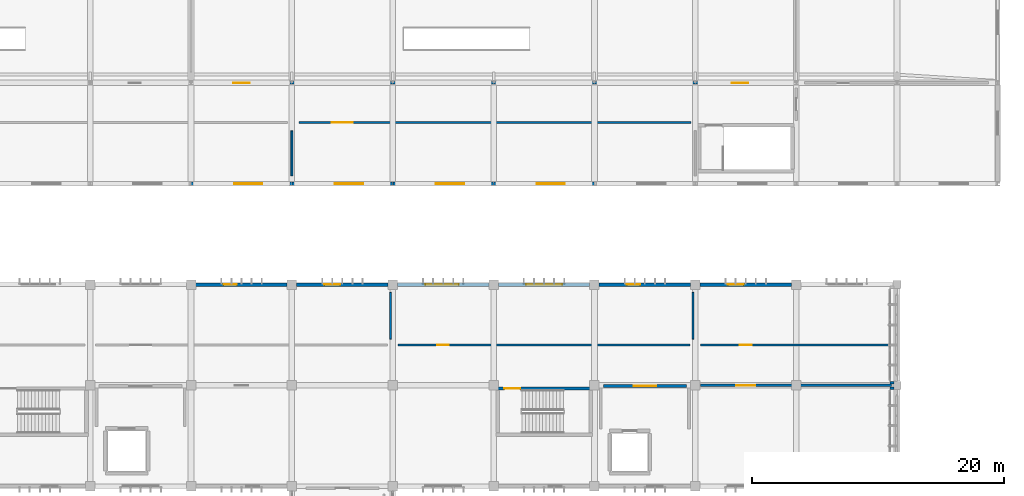
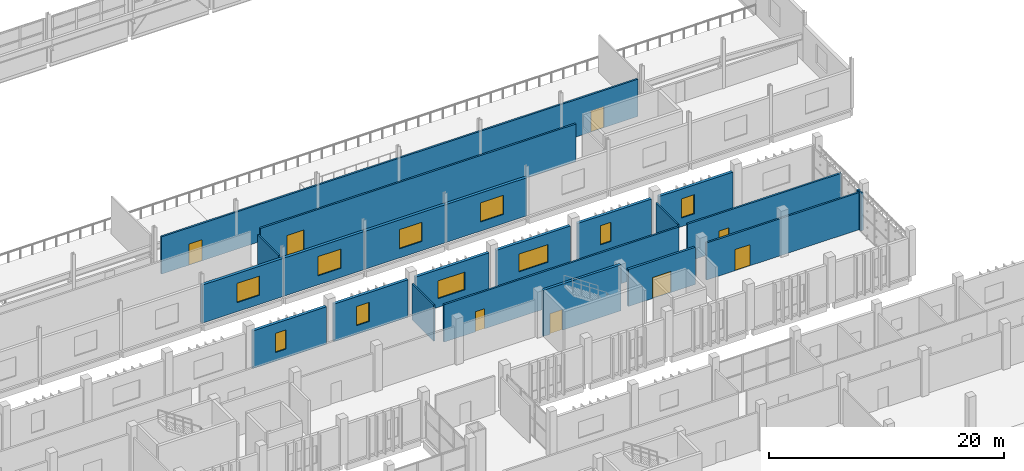
# One storey, part 90 of 106: 22 walls, 10 windows, 8 doors, 18 openings.
"""IFC4 building model written with IfcOpenShell, lengths in metres."""

from ifc_helpers import new_model, si_unit, direction, frame, frame_2d, origin, place, context, subcontext, project, spatial, rectangle, extrude, material, layer, layer_set, type_object, element, fill, save


model = new_model("IFC4")

# Units and contexts
model_context = context("Model", 3, precision=1e-05, world=origin(), true_north=direction((0.0, 1.0)))
body_context = subcontext(model_context, "Body", "Model", "MODEL_VIEW")
ifc_project = project(units=[si_unit("LENGTHUNIT", "METRE"), si_unit("AREAUNIT", "SQUARE_METRE"), si_unit("VOLUMEUNIT", "CUBIC_METRE"), si_unit("PLANEANGLEUNIT", "RADIAN"), si_unit("MASSUNIT", "GRAM", prefix="KILO")], contexts=[model_context])

# Site, building, storey
site_placement = place(None, origin())
site = spatial("IfcSite", under=ifc_project, at=site_placement, CompositionType="ELEMENT")
building_placement = place(site_placement, origin())
building = spatial("IfcBuilding", under=site, at=building_placement, Name="Jelvoka-Kovrelna Polytechnic", CompositionType="ELEMENT")
storey_placement = place(building_placement, frame((0.0, 0.0, 4.800048828125)))
storey = spatial("IfcBuildingStorey", under=building, at=storey_placement, Name="L02", CompositionType="ELEMENT", Elevation=4.800048828125)

# Wall, opening, door
ifc_material_1 = material(Name="Concrete C35/45", Category="concrete")
ifc_layer_1 = layer(ifc_material_1, 0.219970703125)
ifc_layer_set_1 = layer_set([ifc_layer_1], Name="Concrete C35/45")
wall_type_1 = type_object("IfcWallType", Name="Wall_Compartment_220", PredefinedType="PARTITIONING", material=ifc_layer_set_1)
wall_1_placement = place(storey_placement, frame((168.699951171875, 63.949951171875, 0.0), z_axis=(0.0, 0.0, 1.0), x_axis=(1.0, 0.0, 0.0)))
wall_1 = element("IfcWall", 1, at=wall_1_placement, inside=storey, type_object=wall_type_1, Name="L02 interior wall 0346", PredefinedType="PARTITIONING", context=body_context, shape_type="SweptSolid", body=[
    extrude(rectangle(XDim=6.60009765625, YDim=0.219970703125, at=frame_2d((3.300048828125, 0.0))), origin(), (0.0, 0.0, 1.0), 3.85986328125),
])
opening_1_placement = place(wall_1_placement, frame((2.39990234375, 0.0, 0.0)))
opening_1 = element("IfcOpeningElement", 2, at=opening_1_placement, cuts=wall_1, Name="Opening FD-L02-075", PredefinedType="OPENING", context=body_context, shape_type="SweptSolid", body=[
    extrude(rectangle(XDim=1.800048828125, YDim=2.199951171875, at=frame_2d((0.89990234375, 1.10009765625))), frame((0.0, 0.119873046875, 0.0), z_axis=(0.0, -1.0, 0.0), x_axis=(1.0, 0.0, 0.0)), (0.0, 0.0, 1.0), 0.239990234375),
])
ifc_material_2 = material(Name="Paired steel corridor fire door", Category="steel")
door_type_1 = type_object("IfcDoorType", Name="Door_Fire_FD03", OperationType="NOTDEFINED", PredefinedType="DOOR", material=ifc_material_2)
door_1_placement = place(opening_1_placement, origin())
door_1 = element("IfcDoor", 3, at=door_1_placement, inside=storey, type_object=door_type_1, Name="L02 interior door FD-L02-075", OperationType="DOUBLE_DOOR_SINGLE_SWING", OverallHeight=2.199951171875, OverallWidth=1.800048828125, PredefinedType="DOOR", context=body_context, shape_type="SweptSolid", body=[
    extrude(rectangle(XDim=1.800048828125, YDim=2.199951171875, at=frame_2d((0.89990234375, 1.10009765625))), frame((0.0, 0.02490234375, 0.0), z_axis=(0.0, -1.0, 0.0), x_axis=(1.0, 0.0, 0.0)), (0.0, 0.0, 1.0), 0.050048828125),
])
fill(opening_1, door_1)

ifc_material_3 = material(Name="Concrete C40/50", Category="concrete")
ifc_layer_2 = layer(ifc_material_3, 0.25)
ifc_layer_set_2 = layer_set([ifc_layer_2], Name="Concrete C40/50")
wall_type_2 = type_object("IfcWallType", Name="Wall_Core_250", PredefinedType="SOLIDWALL", material=ifc_layer_set_2)
wall_2_placement = place(storey_placement, frame((160.199951171875, 63.739990234375, 0.0), z_axis=(0.0, 0.0, 1.0), x_axis=(1.0, 0.0, 0.0)))
wall_2 = element("IfcWall", 4, at=wall_2_placement, inside=storey, type_object=wall_type_2, Name="L02 interior wall 0191", PredefinedType="SOLIDWALL", context=body_context, shape_type="SweptSolid", body=[
    extrude(rectangle(XDim=7.650146484375, YDim=0.25, at=frame_2d((3.8251953125, 0.0))), origin(), (0.0, 0.0, 1.0), 4.800048828125),
])
opening_2_placement = place(wall_2_placement, frame((0.64990234375, 0.0, 0.0)))
opening_2 = element("IfcOpeningElement", 5, at=opening_2_placement, cuts=wall_2, Name="Opening SD-L02-048", PredefinedType="OPENING", context=body_context, shape_type="SweptSolid", body=[
    extrude(rectangle(XDim=1.25, YDim=2.14990234375, at=frame_2d((0.625, 1.074951171875))), frame((0.0, 0.135009765625, 0.0), z_axis=(0.0, -1.0, 0.0), x_axis=(1.0, 0.0, 0.0)), (0.0, 0.0, 1.0), 0.27001953125),
])
ifc_material_4 = material(Name="Powder-coated steel fire door", Category="steel")
door_type_2 = type_object("IfcDoorType", Name="Door_Fire_FD02", OperationType="NOTDEFINED", PredefinedType="DOOR", material=ifc_material_4)
door_2_placement = place(opening_2_placement, origin())
door_2 = element("IfcDoor", 6, at=door_2_placement, inside=storey, type_object=door_type_2, Name="L02 interior door SD-L02-048", OperationType="SINGLE_SWING_LEFT", OverallHeight=2.14990234375, OverallWidth=1.25, PredefinedType="DOOR", context=body_context, shape_type="SweptSolid", body=[
    extrude(rectangle(XDim=1.25, YDim=2.14990234375, at=frame_2d((0.625, 1.074951171875))), frame((0.0, 0.02490234375, 0.0), z_axis=(0.0, -1.0, 0.0), x_axis=(1.0, 0.0, 0.0)), (0.0, 0.0, 1.0), 0.050048828125),
])
fill(opening_2, door_2)

ifc_material_5 = material(Name="Autoclaved aerated concrete blockwork", Category="masonry")
ifc_layer_3 = layer(ifc_material_5, 0.179931640625)
ifc_layer_set_3 = layer_set([ifc_layer_3], Name="Autoclaved aerated concrete blockwork")
wall_type_3 = type_object("IfcWallType", Name="Wall_Corridor_180", PredefinedType="PARTITIONING", material=ifc_layer_set_3)
wall_3_placement = place(storey_placement, frame((176.429931640625, 64.0, 0.0), z_axis=(0.0, 0.0, 1.0), x_axis=(1.0, 0.0, 0.0)))
wall_3 = element("IfcWall", 7, at=wall_3_placement, inside=storey, type_object=wall_type_3, Name="L02 interior wall 0982", PredefinedType="PARTITIONING", context=body_context, shape_type="SweptSolid", body=[
    extrude(rectangle(XDim=15.14013671875, YDim=0.179931640625, at=frame_2d((7.570068359375, 0.0))), origin(), (0.0, 0.0, 1.0), 3.85986328125),
])
opening_3_placement = place(wall_3_placement, frame((2.830078125, 0.0, 0.0)))
opening_3 = element("IfcOpeningElement", 8, at=opening_3_placement, cuts=wall_3, Name="Opening D-L02-247", PredefinedType="OPENING", context=body_context, shape_type="SweptSolid", body=[
    extrude(rectangle(XDim=1.47998046875, YDim=2.199951171875, at=frame_2d((0.739990234375, 1.10009765625))), frame((0.0, 0.099853515625, 0.0), z_axis=(0.0, -1.0, 0.0), x_axis=(1.0, 0.0, 0.0)), (0.0, 0.0, 1.0), 0.199951171875),
])
ifc_material_6 = material(Name="Paired studio double door", Category="wood")
door_type_3 = type_object("IfcDoorType", Name="Door_Int_D17", OperationType="NOTDEFINED", PredefinedType="DOOR", material=ifc_material_6)
door_3_placement = place(opening_3_placement, origin())
door_3 = element("IfcDoor", 9, at=door_3_placement, inside=storey, type_object=door_type_3, Name="L02 interior door D-L02-247", OperationType="DOUBLE_DOOR_SINGLE_SWING", OverallHeight=2.199951171875, OverallWidth=1.47998046875, PredefinedType="DOOR", context=body_context, shape_type="SweptSolid", body=[
    extrude(rectangle(XDim=1.47998046875, YDim=2.199951171875, at=frame_2d((0.739990234375, 1.10009765625))), frame((0.0, 0.02490234375, 0.0), z_axis=(0.0, -1.0, 0.0), x_axis=(1.0, 0.0, 0.0)), (0.0, 0.0, 1.0), 0.050048828125),
])
fill(opening_3, door_3)

wall_4_placement = place(storey_placement, frame((152.429931640625, 67.199951171875, 0.0), z_axis=(0.0, 0.0, 1.0), x_axis=(1.0, 0.0, 0.0)))
wall_4 = element("IfcWall", 10, at=wall_4_placement, inside=storey, type_object=wall_type_3, Name="L02 interior wall 0989", PredefinedType="PARTITIONING", context=body_context, shape_type="SweptSolid", body=[
    extrude(rectangle(XDim=23.14013671875, YDim=0.179931640625, at=frame_2d((11.570068359375, 0.0))), origin(), (0.0, 0.0, 1.0), 3.89990234375),
])
opening_4_placement = place(wall_4_placement, frame((3.1201171875, 0.0, 0.0)))
opening_4 = element("IfcOpeningElement", 11, at=opening_4_placement, cuts=wall_4, Name="Opening D-L02-252", PredefinedType="OPENING", context=body_context, shape_type="SweptSolid", body=[
    extrude(rectangle(XDim=0.89990234375, YDim=2.10009765625, at=frame_2d((0.449951171875, 1.050048828125))), frame((0.0, 0.099853515625, 0.0), z_axis=(0.0, -1.0, 0.0), x_axis=(1.0, 0.0, 0.0)), (0.0, 0.0, 1.0), 0.199951171875),
])
ifc_material_7 = material(Name="Hardwood solid-core door", Category="wood")
door_type_4 = type_object("IfcDoorType", Name="Door_Int_D01", OperationType="NOTDEFINED", PredefinedType="DOOR", material=ifc_material_7)
door_4_placement = place(opening_4_placement, origin())
door_4 = element("IfcDoor", 12, at=door_4_placement, inside=storey, type_object=door_type_4, Name="L02 interior door D-L02-252", OperationType="SINGLE_SWING_LEFT", OverallHeight=2.10009765625, OverallWidth=0.89990234375, PredefinedType="DOOR", context=body_context, shape_type="SweptSolid", body=[
    extrude(rectangle(XDim=0.89990234375, YDim=2.10009765625, at=frame_2d((0.449951171875, 1.050048828125))), frame((0.0, 0.02490234375, 0.0), z_axis=(0.0, -1.0, 0.0), x_axis=(1.0, 0.0, 0.0)), (0.0, 0.0, 1.0), 0.050048828125),
])
fill(opening_4, door_4)

wall_5_placement = place(storey_placement, frame((176.429931640625, 67.199951171875, 0.0), z_axis=(0.0, 0.0, 1.0), x_axis=(1.0, 0.0, 0.0)))
wall_5 = element("IfcWall", 13, at=wall_5_placement, inside=storey, type_object=wall_type_3, Name="L02 interior wall 0991", PredefinedType="PARTITIONING", context=body_context, shape_type="SweptSolid", body=[
    extrude(rectangle(XDim=15.14013671875, YDim=0.179931640625, at=frame_2d((7.570068359375, 0.0))), origin(), (0.0, 0.0, 1.0), 3.89990234375),
])
opening_5_placement = place(wall_5_placement, frame((3.080078125, 0.0, 0.0)))
opening_5 = element("IfcOpeningElement", 14, at=opening_5_placement, cuts=wall_5, Name="Opening D-L02-253", PredefinedType="OPENING", context=body_context, shape_type="SweptSolid", body=[
    extrude(rectangle(XDim=0.97998046875, YDim=2.10009765625, at=frame_2d((0.489990234375, 1.050048828125))), frame((0.0, 0.099853515625, 0.0), z_axis=(0.0, -1.0, 0.0), x_axis=(1.0, 0.0, 0.0)), (0.0, 0.0, 1.0), 0.199951171875),
])
ifc_material_8 = material(Name="Hardwood solid-core door", Category="wood")
door_type_5 = type_object("IfcDoorType", Name="Door_Int_D03", OperationType="NOTDEFINED", PredefinedType="DOOR", material=ifc_material_8)
door_5_placement = place(opening_5_placement, origin())
door_5 = element("IfcDoor", 15, at=door_5_placement, inside=storey, type_object=door_type_5, Name="L02 interior door D-L02-253", OperationType="SINGLE_SWING_RIGHT", OverallHeight=2.10009765625, OverallWidth=0.97998046875, PredefinedType="DOOR", context=body_context, shape_type="SweptSolid", body=[
    extrude(rectangle(XDim=0.97998046875, YDim=2.10009765625, at=frame_2d((0.489990234375, 1.050048828125))), frame((0.0, 0.02490234375, 0.0), z_axis=(0.0, -1.0, 0.0), x_axis=(1.0, 0.0, 0.0)), (0.0, 0.0, 1.0), 0.050048828125),
])
fill(opening_5, door_5)

# Wall, openings, doors
wall_6_placement = place(storey_placement, frame((136.64990234375, 88.0, 0.0), z_axis=(0.0, 0.0, 1.0), x_axis=(1.0, 0.0, 0.0)))
wall_6 = element("IfcWall", 16, at=wall_6_placement, inside=storey, type_object=wall_type_3, Name="L02 interior wall 1002", PredefinedType="PARTITIONING", context=body_context, shape_type="SweptSolid", body=[
    extrude(rectangle(XDim=46.900146484375, YDim=0.179931640625, at=frame_2d((23.4501953125, 0.0))), origin(), (0.0, 0.0, 1.0), 3.886962890625),
])
opening_6_placement = place(wall_6_placement, frame((2.7099609375, 0.0, 0.0)))
opening_6 = element("IfcOpeningElement", 17, at=opening_6_placement, cuts=wall_6, Name="Opening D-L02-260", PredefinedType="OPENING", context=body_context, shape_type="SweptSolid", body=[
    extrude(rectangle(XDim=1.280029296875, YDim=2.199951171875, at=frame_2d((0.64013671875, 1.10009765625))), frame((0.0, 0.099853515625, 0.0), z_axis=(0.0, -1.0, 0.0), x_axis=(1.0, 0.0, 0.0)), (0.0, 0.0, 1.0), 0.199951171875),
])
opening_7_placement = place(wall_6_placement, frame((42.260009765625, 0.0, 0.0)))
opening_7 = element("IfcOpeningElement", 18, at=opening_7_placement, cuts=wall_6, Name="Opening D-L02-261", PredefinedType="OPENING", context=body_context, shape_type="SweptSolid", body=[
    extrude(rectangle(XDim=1.280029296875, YDim=2.199951171875, at=frame_2d((0.64013671875, 1.10009765625))), frame((0.0, 0.099853515625, 0.0), z_axis=(0.0, -1.0, 0.0), x_axis=(1.0, 0.0, 0.0)), (0.0, 0.0, 1.0), 0.199951171875),
])
ifc_material_9 = material(Name="Studio wide leaf door", Category="wood")
door_type_6 = type_object("IfcDoorType", Name="Door_Int_D14", OperationType="NOTDEFINED", PredefinedType="DOOR", material=ifc_material_9)
door_6_placement = place(opening_6_placement, origin())
door_6 = element("IfcDoor", 19, at=door_6_placement, inside=storey, type_object=door_type_6, Name="L02 interior door D-L02-260", OperationType="SINGLE_SWING_LEFT", OverallHeight=2.199951171875, OverallWidth=1.280029296875, PredefinedType="DOOR", context=body_context, shape_type="SweptSolid", body=[
    extrude(rectangle(XDim=1.280029296875, YDim=2.199951171875, at=frame_2d((0.64013671875, 1.10009765625))), frame((0.0, 0.02490234375, 0.0), z_axis=(0.0, -1.0, 0.0), x_axis=(1.0, 0.0, 0.0)), (0.0, 0.0, 1.0), 0.050048828125),
])
fill(opening_6, door_6)
door_7_placement = place(opening_7_placement, origin())
door_7 = element("IfcDoor", 20, at=door_7_placement, inside=storey, type_object=door_type_6, Name="L02 interior door D-L02-261", OperationType="SINGLE_SWING_RIGHT", OverallHeight=2.199951171875, OverallWidth=1.280029296875, PredefinedType="DOOR", context=body_context, shape_type="SweptSolid", body=[
    extrude(rectangle(XDim=1.280029296875, YDim=2.199951171875, at=frame_2d((0.64013671875, 1.10009765625))), frame((0.0, 0.02490234375, 0.0), z_axis=(0.0, -1.0, 0.0), x_axis=(1.0, 0.0, 0.0)), (0.0, 0.0, 1.0), 0.050048828125),
])
fill(opening_7, door_7)

# Wall, opening, door
wall_7_placement = place(storey_placement, frame((144.550048828125, 84.85009765625, 0.0), z_axis=(0.0, 0.0, 1.0), x_axis=(1.0, 0.0, 0.0)))
wall_7 = element("IfcWall", 21, at=wall_7_placement, inside=storey, type_object=wall_type_3, Name="L02 interior wall 1008", PredefinedType="PARTITIONING", context=body_context, shape_type="SweptSolid", body=[
    extrude(rectangle(XDim=31.099853515625, YDim=0.179931640625, at=frame_2d((15.5498046875, 0.0))), origin(), (0.0, 0.0, 1.0), 3.89990234375),
])
opening_8_placement = place(wall_7_placement, frame((2.610107421875, 0.0, 0.0)))
opening_8 = element("IfcOpeningElement", 22, at=opening_8_placement, cuts=wall_7, Name="Opening D-L02-264", PredefinedType="OPENING", context=body_context, shape_type="SweptSolid", body=[
    extrude(rectangle(XDim=1.679931640625, YDim=2.25, at=frame_2d((0.83984375, 1.125))), frame((0.0, 0.099853515625, 0.0), z_axis=(0.0, -1.0, 0.0), x_axis=(1.0, 0.0, 0.0)), (0.0, 0.0, 1.0), 0.199951171875),
])
ifc_material_10 = material(Name="Paired acoustic lecture theatre door", Category="wood")
door_type_7 = type_object("IfcDoorType", Name="Door_Int_D20", OperationType="NOTDEFINED", PredefinedType="DOOR", material=ifc_material_10)
door_8_placement = place(opening_8_placement, origin())
door_8 = element("IfcDoor", 23, at=door_8_placement, inside=storey, type_object=door_type_7, Name="L02 interior door D-L02-264", OperationType="DOUBLE_DOOR_SINGLE_SWING", OverallHeight=2.25, OverallWidth=1.679931640625, PredefinedType="DOOR", context=body_context, shape_type="SweptSolid", body=[
    extrude(rectangle(XDim=1.679931640625, YDim=2.25, at=frame_2d((0.83984375, 1.125))), frame((0.0, 0.02490234375, 0.0), z_axis=(0.0, -1.0, 0.0), x_axis=(1.0, 0.0, 0.0)), (0.0, 0.0, 1.0), 0.050048828125),
])
fill(opening_8, door_8)

# Wall, opening, window
ifc_material_11 = material(Name="Precast concrete C40/50", Category="concrete")
ifc_layer_4 = layer(ifc_material_11, 0.280029296875)
ifc_layer_set_4 = layer_set([ifc_layer_4], Name="Precast concrete C40/50")
wall_type_4 = type_object("IfcWallType", Name="Wall_Ext_White_280", PredefinedType="STANDARD", material=ifc_layer_set_4)
wall_8_placement = place(storey_placement, frame((136.3720703125, 72.0, 0.0), z_axis=(0.0, 0.0, 1.0), x_axis=(1.0, 0.0, 0.0)))
wall_8 = element("IfcWall", 24, at=wall_8_placement, inside=storey, type_object=wall_type_4, Name="L02 exterior wall 0623", PredefinedType="STANDARD", context=body_context, shape_type="SweptSolid", body=[
    extrude(rectangle(XDim=7.255859375, YDim=0.280029296875, at=frame_2d((3.6279296875, 0.0))), origin(), (0.0, 0.0, 1.0), 3.909912109375),
])
opening_9_placement = place(wall_8_placement, frame((2.2080078125, 0.0, 0.89990234375)))
opening_9 = element("IfcOpeningElement", 25, at=opening_9_placement, cuts=wall_8, Name="Opening W-L02-297", PredefinedType="OPENING", context=body_context, shape_type="SweptSolid", body=[
    extrude(rectangle(XDim=1.050048828125, YDim=2.0, at=frame_2d((0.52490234375, 1.0))), frame((0.0, 0.150146484375, 0.0), z_axis=(0.0, -1.0, 0.0), x_axis=(1.0, 0.0, 0.0)), (0.0, 0.0, 1.0), 0.300048828125),
])
ifc_material_12 = material(Name="Thermally broken anodised aluminium and low-e glazing", Category="aluminium")
window_type_1 = type_object("IfcWindowType", Name="Win_Casement_W51", PartitioningType="SINGLE_PANEL", PredefinedType="WINDOW", material=ifc_material_12)
window_1_placement = place(opening_9_placement, origin())
window_1 = element("IfcWindow", 26, at=window_1_placement, inside=storey, type_object=window_type_1, Name="L02 aluminium casement window W-L02-297", OverallHeight=2.0, OverallWidth=1.050048828125, PartitioningType="SINGLE_PANEL", PredefinedType="WINDOW", context=body_context, shape_type="SweptSolid", body=[
    extrude(rectangle(XDim=1.050048828125, YDim=2.0, at=frame_2d((0.52490234375, 1.0))), frame((0.0, 0.030029296875, 0.0), z_axis=(0.0, -1.0, 0.0), x_axis=(1.0, 0.0, 0.0)), (0.0, 0.0, 1.0), 0.06005859375),
])
fill(opening_9, window_1)

wall_9_placement = place(storey_placement, frame((144.3720703125, 72.0, 0.0), z_axis=(0.0, 0.0, 1.0), x_axis=(1.0, 0.0, 0.0)))
wall_9 = element("IfcWall", 27, at=wall_9_placement, inside=storey, type_object=wall_type_4, Name="L02 exterior wall 0624", PredefinedType="STANDARD", context=body_context, shape_type="SweptSolid", body=[
    extrude(rectangle(XDim=7.255859375, YDim=0.280029296875, at=frame_2d((3.6279296875, 0.0))), origin(), (0.0, 0.0, 1.0), 3.909912109375),
])
opening_10_placement = place(wall_9_placement, frame((2.2080078125, 0.0, 0.89990234375)))
opening_10 = element("IfcOpeningElement", 28, at=opening_10_placement, cuts=wall_9, Name="Opening W-L02-298", PredefinedType="OPENING", context=body_context, shape_type="SweptSolid", body=[
    extrude(rectangle(XDim=1.25, YDim=2.0, at=frame_2d((0.625, 1.0))), frame((0.0, 0.150146484375, 0.0), z_axis=(0.0, -1.0, 0.0), x_axis=(1.0, 0.0, 0.0)), (0.0, 0.0, 1.0), 0.300048828125),
])
ifc_material_13 = material(Name="Thermally broken anodised aluminium and low-e glazing", Category="aluminium")
window_type_2 = type_object("IfcWindowType", Name="Win_Casement_W52", PartitioningType="SINGLE_PANEL", PredefinedType="WINDOW", material=ifc_material_13)
window_2_placement = place(opening_10_placement, origin())
window_2 = element("IfcWindow", 29, at=window_2_placement, inside=storey, type_object=window_type_2, Name="L02 aluminium casement window W-L02-298", OverallHeight=2.0, OverallWidth=1.25, PartitioningType="SINGLE_PANEL", PredefinedType="WINDOW", context=body_context, shape_type="SweptSolid", body=[
    extrude(rectangle(XDim=1.25, YDim=2.0, at=frame_2d((0.625, 1.0))), frame((0.0, 0.030029296875, 0.0), z_axis=(0.0, -1.0, 0.0), x_axis=(1.0, 0.0, 0.0)), (0.0, 0.0, 1.0), 0.06005859375),
])
fill(opening_10, window_2)

wall_10_placement = place(storey_placement, frame((152.3720703125, 72.0, 0.0), z_axis=(0.0, 0.0, 1.0), x_axis=(1.0, 0.0, 0.0)))
wall_10 = element("IfcWall", 30, at=wall_10_placement, inside=storey, type_object=wall_type_4, Name="L02 exterior wall 0626", PredefinedType="STANDARD", context=body_context, shape_type="SweptSolid", body=[
    extrude(rectangle(XDim=7.255859375, YDim=0.280029296875, at=frame_2d((3.6279296875, 0.0))), origin(), (0.0, 0.0, 1.0), 3.909912109375),
])
opening_11_placement = place(wall_10_placement, frame((2.2080078125, 0.0, 0.89990234375)))
opening_11 = element("IfcOpeningElement", 31, at=opening_11_placement, cuts=wall_10, Name="Opening W-L02-300", PredefinedType="OPENING", context=body_context, shape_type="SweptSolid", body=[
    extrude(rectangle(XDim=2.64990234375, YDim=1.85009765625, at=frame_2d((1.324951171875, 0.925048828125))), frame((0.0, 0.150146484375, 0.0), z_axis=(0.0, -1.0, 0.0), x_axis=(1.0, 0.0, 0.0)), (0.0, 0.0, 1.0), 0.300048828125),
])
ifc_material_14 = material(Name="Thermally broken anodised aluminium and low-e glazing", Category="aluminium")
window_type_3 = type_object("IfcWindowType", Name="Win_Casement_W49", PartitioningType="DOUBLE_PANEL_VERTICAL", PredefinedType="WINDOW", material=ifc_material_14)
window_3_placement = place(opening_11_placement, origin())
window_3 = element("IfcWindow", 32, at=window_3_placement, inside=storey, type_object=window_type_3, Name="L02 aluminium casement window W-L02-300", OverallHeight=1.85009765625, OverallWidth=2.64990234375, PartitioningType="DOUBLE_PANEL_VERTICAL", PredefinedType="WINDOW", context=body_context, shape_type="SweptSolid", body=[
    extrude(rectangle(XDim=2.64990234375, YDim=1.85009765625, at=frame_2d((1.324951171875, 0.925048828125))), frame((0.0, 0.030029296875, 0.0), z_axis=(0.0, -1.0, 0.0), x_axis=(1.0, 0.0, 0.0)), (0.0, 0.0, 1.0), 0.06005859375),
])
fill(opening_11, window_3)

wall_11_placement = place(storey_placement, frame((160.3720703125, 72.0, 0.0), z_axis=(0.0, 0.0, 1.0), x_axis=(1.0, 0.0, 0.0)))
wall_11 = element("IfcWall", 33, at=wall_11_placement, inside=storey, type_object=wall_type_4, Name="L02 exterior wall 0628", PredefinedType="STANDARD", context=body_context, shape_type="SweptSolid", body=[
    extrude(rectangle(XDim=7.255859375, YDim=0.280029296875, at=frame_2d((3.6279296875, 0.0))), origin(), (0.0, 0.0, 1.0), 3.909912109375),
])
opening_12_placement = place(wall_11_placement, frame((2.2080078125, 0.0, 0.89990234375)))
opening_12 = element("IfcOpeningElement", 34, at=opening_12_placement, cuts=wall_11, Name="Opening W-L02-302", PredefinedType="OPENING", context=body_context, shape_type="SweptSolid", body=[
    extrude(rectangle(XDim=2.85009765625, YDim=1.85009765625, at=frame_2d((1.425048828125, 0.925048828125))), frame((0.0, 0.150146484375, 0.0), z_axis=(0.0, -1.0, 0.0), x_axis=(1.0, 0.0, 0.0)), (0.0, 0.0, 1.0), 0.300048828125),
])
ifc_material_15 = material(Name="Thermally broken anodised aluminium and low-e glazing", Category="aluminium")
window_type_4 = type_object("IfcWindowType", Name="Win_Casement_W50", PartitioningType="DOUBLE_PANEL_VERTICAL", PredefinedType="WINDOW", material=ifc_material_15)
window_4_placement = place(opening_12_placement, origin())
window_4 = element("IfcWindow", 35, at=window_4_placement, inside=storey, type_object=window_type_4, Name="L02 aluminium casement window W-L02-302", OverallHeight=1.85009765625, OverallWidth=2.85009765625, PartitioningType="DOUBLE_PANEL_VERTICAL", PredefinedType="WINDOW", context=body_context, shape_type="SweptSolid", body=[
    extrude(rectangle(XDim=2.85009765625, YDim=1.85009765625, at=frame_2d((1.425048828125, 0.925048828125))), frame((0.0, 0.030029296875, 0.0), z_axis=(0.0, -1.0, 0.0), x_axis=(1.0, 0.0, 0.0)), (0.0, 0.0, 1.0), 0.06005859375),
])
fill(opening_12, window_4)

wall_12_placement = place(storey_placement, frame((168.3720703125, 72.0, 0.0), z_axis=(0.0, 0.0, 1.0), x_axis=(1.0, 0.0, 0.0)))
wall_12 = element("IfcWall", 36, at=wall_12_placement, inside=storey, type_object=wall_type_4, Name="L02 exterior wall 0630", PredefinedType="STANDARD", context=body_context, shape_type="SweptSolid", body=[
    extrude(rectangle(XDim=7.255859375, YDim=0.280029296875, at=frame_2d((3.6279296875, 0.0))), origin(), (0.0, 0.0, 1.0), 3.909912109375),
])
opening_13_placement = place(wall_12_placement, frame((2.2080078125, 0.0, 0.89990234375)))
opening_13 = element("IfcOpeningElement", 37, at=opening_13_placement, cuts=wall_12, Name="Opening W-L02-304", PredefinedType="OPENING", context=body_context, shape_type="SweptSolid", body=[
    extrude(rectangle(XDim=1.050048828125, YDim=2.0, at=frame_2d((0.52490234375, 1.0))), frame((0.0, 0.150146484375, 0.0), z_axis=(0.0, -1.0, 0.0), x_axis=(1.0, 0.0, 0.0)), (0.0, 0.0, 1.0), 0.300048828125),
])
window_5_placement = place(opening_13_placement, origin())
window_5 = element("IfcWindow", 38, at=window_5_placement, inside=storey, type_object=window_type_1, Name="L02 aluminium casement window W-L02-304", OverallHeight=2.0, OverallWidth=1.050048828125, PartitioningType="SINGLE_PANEL", PredefinedType="WINDOW", context=body_context, shape_type="SweptSolid", body=[
    extrude(rectangle(XDim=1.050048828125, YDim=2.0, at=frame_2d((0.52490234375, 1.0))), frame((0.0, 0.030029296875, 0.0), z_axis=(0.0, -1.0, 0.0), x_axis=(1.0, 0.0, 0.0)), (0.0, 0.0, 1.0), 0.06005859375),
])
fill(opening_13, window_5)

wall_13_placement = place(storey_placement, frame((176.3720703125, 72.0, 0.0), z_axis=(0.0, 0.0, 1.0), x_axis=(1.0, 0.0, 0.0)))
wall_13 = element("IfcWall", 39, at=wall_13_placement, inside=storey, type_object=wall_type_4, Name="L02 exterior wall 0632", PredefinedType="STANDARD", context=body_context, shape_type="SweptSolid", body=[
    extrude(rectangle(XDim=7.255859375, YDim=0.280029296875, at=frame_2d((3.6279296875, 0.0))), origin(), (0.0, 0.0, 1.0), 3.909912109375),
])
opening_14_placement = place(wall_13_placement, frame((2.2080078125, 0.0, 0.89990234375)))
opening_14 = element("IfcOpeningElement", 40, at=opening_14_placement, cuts=wall_13, Name="Opening W-L02-306", PredefinedType="OPENING", context=body_context, shape_type="SweptSolid", body=[
    extrude(rectangle(XDim=1.25, YDim=2.0, at=frame_2d((0.625, 1.0))), frame((0.0, 0.150146484375, 0.0), z_axis=(0.0, -1.0, 0.0), x_axis=(1.0, 0.0, 0.0)), (0.0, 0.0, 1.0), 0.300048828125),
])
window_6_placement = place(opening_14_placement, origin())
window_6 = element("IfcWindow", 41, at=window_6_placement, inside=storey, type_object=window_type_2, Name="L02 aluminium casement window W-L02-306", OverallHeight=2.0, OverallWidth=1.25, PartitioningType="SINGLE_PANEL", PredefinedType="WINDOW", context=body_context, shape_type="SweptSolid", body=[
    extrude(rectangle(XDim=1.25, YDim=2.0, at=frame_2d((0.625, 1.0))), frame((0.0, 0.030029296875, 0.0), z_axis=(0.0, -1.0, 0.0), x_axis=(1.0, 0.0, 0.0)), (0.0, 0.0, 1.0), 0.06005859375),
])
fill(opening_14, window_6)

wall_14_placement = place(storey_placement, frame((143.99609375, 80.0, 0.0), z_axis=(0.0, 0.0, 1.0), x_axis=(-1.0, 0.0, 0.0)))
wall_14 = element("IfcWall", 42, at=wall_14_placement, inside=storey, type_object=wall_type_4, Name="L02 exterior wall 0930", PredefinedType="STANDARD", context=body_context, shape_type="SweptSolid", body=[
    extrude(rectangle(XDim=7.9921875, YDim=0.280029296875, at=frame_2d((3.99609375, 0.0))), origin(), (0.0, 0.0, 1.0), 3.96484375),
])
opening_15_placement = place(wall_14_placement, frame((2.3359375, 0.0, 0.949951171875)))
opening_15 = element("IfcOpeningElement", 43, at=opening_15_placement, cuts=wall_14, Name="Opening W-L02-531", PredefinedType="OPENING", context=body_context, shape_type="SweptSolid", body=[
    extrude(rectangle(XDim=2.25, YDim=2.0, at=frame_2d((1.125, 1.0))), frame((0.0, 0.150146484375, 0.0), z_axis=(0.0, -1.0, 0.0), x_axis=(1.0, 0.0, 0.0)), (0.0, 0.0, 1.0), 0.300048828125),
])
ifc_material_16 = material(Name="Thermally broken anodised aluminium and low-e glazing", Category="aluminium")
window_type_5 = type_object("IfcWindowType", Name="Win_Casement_W57", PartitioningType="DOUBLE_PANEL_VERTICAL", PredefinedType="WINDOW", material=ifc_material_16)
window_7_placement = place(opening_15_placement, origin())
window_7 = element("IfcWindow", 44, at=window_7_placement, inside=storey, type_object=window_type_5, Name="L02 aluminium casement window W-L02-531", OverallHeight=2.0, OverallWidth=2.25, PartitioningType="DOUBLE_PANEL_VERTICAL", PredefinedType="WINDOW", context=body_context, shape_type="SweptSolid", body=[
    extrude(rectangle(XDim=2.25, YDim=2.0, at=frame_2d((1.125, 1.0))), frame((0.0, 0.030029296875, 0.0), z_axis=(0.0, -1.0, 0.0), x_axis=(1.0, 0.0, 0.0)), (0.0, 0.0, 1.0), 0.06005859375),
])
fill(opening_15, window_7)

wall_15_placement = place(storey_placement, frame((151.99609375, 80.0, 0.0), z_axis=(0.0, 0.0, 1.0), x_axis=(-1.0, 0.0, 0.0)))
wall_15 = element("IfcWall", 45, at=wall_15_placement, inside=storey, type_object=wall_type_4, Name="L02 exterior wall 0931", PredefinedType="STANDARD", context=body_context, shape_type="SweptSolid", body=[
    extrude(rectangle(XDim=7.9921875, YDim=0.280029296875, at=frame_2d((3.99609375, 0.0))), origin(), (0.0, 0.0, 1.0), 3.96484375),
])
opening_16_placement = place(wall_15_placement, frame((2.3359375, 0.0, 0.949951171875)))
opening_16 = element("IfcOpeningElement", 46, at=opening_16_placement, cuts=wall_15, Name="Opening W-L02-532", PredefinedType="OPENING", context=body_context, shape_type="SweptSolid", body=[
    extrude(rectangle(XDim=2.25, YDim=2.0, at=frame_2d((1.125, 1.0))), frame((0.0, 0.150146484375, 0.0), z_axis=(0.0, -1.0, 0.0), x_axis=(1.0, 0.0, 0.0)), (0.0, 0.0, 1.0), 0.300048828125),
])
window_8_placement = place(opening_16_placement, origin())
window_8 = element("IfcWindow", 47, at=window_8_placement, inside=storey, type_object=window_type_5, Name="L02 aluminium casement window W-L02-532", OverallHeight=2.0, OverallWidth=2.25, PartitioningType="DOUBLE_PANEL_VERTICAL", PredefinedType="WINDOW", context=body_context, shape_type="SweptSolid", body=[
    extrude(rectangle(XDim=2.25, YDim=2.0, at=frame_2d((1.125, 1.0))), frame((0.0, 0.030029296875, 0.0), z_axis=(0.0, -1.0, 0.0), x_axis=(1.0, 0.0, 0.0)), (0.0, 0.0, 1.0), 0.06005859375),
])
fill(opening_16, window_8)

wall_16_placement = place(storey_placement, frame((159.99609375, 80.0, 0.0), z_axis=(0.0, 0.0, 1.0), x_axis=(-1.0, 0.0, 0.0)))
wall_16 = element("IfcWall", 48, at=wall_16_placement, inside=storey, type_object=wall_type_4, Name="L02 exterior wall 0932", PredefinedType="STANDARD", context=body_context, shape_type="SweptSolid", body=[
    extrude(rectangle(XDim=7.9921875, YDim=0.280029296875, at=frame_2d((3.99609375, 0.0))), origin(), (0.0, 0.0, 1.0), 3.96484375),
])
opening_17_placement = place(wall_16_placement, frame((2.3359375, 0.0, 0.949951171875)))
opening_17 = element("IfcOpeningElement", 49, at=opening_17_placement, cuts=wall_16, Name="Opening W-L02-533", PredefinedType="OPENING", context=body_context, shape_type="SweptSolid", body=[
    extrude(rectangle(XDim=2.25, YDim=2.0, at=frame_2d((1.125, 1.0))), frame((0.0, 0.150146484375, 0.0), z_axis=(0.0, -1.0, 0.0), x_axis=(1.0, 0.0, 0.0)), (0.0, 0.0, 1.0), 0.300048828125),
])
window_9_placement = place(opening_17_placement, origin())
window_9 = element("IfcWindow", 50, at=window_9_placement, inside=storey, type_object=window_type_5, Name="L02 aluminium casement window W-L02-533", OverallHeight=2.0, OverallWidth=2.25, PartitioningType="DOUBLE_PANEL_VERTICAL", PredefinedType="WINDOW", context=body_context, shape_type="SweptSolid", body=[
    extrude(rectangle(XDim=2.25, YDim=2.0, at=frame_2d((1.125, 1.0))), frame((0.0, 0.030029296875, 0.0), z_axis=(0.0, -1.0, 0.0), x_axis=(1.0, 0.0, 0.0)), (0.0, 0.0, 1.0), 0.06005859375),
])
fill(opening_17, window_9)

wall_17_placement = place(storey_placement, frame((167.99609375, 80.0, 0.0), z_axis=(0.0, 0.0, 1.0), x_axis=(-1.0, 0.0, 0.0)))
wall_17 = element("IfcWall", 51, at=wall_17_placement, inside=storey, type_object=wall_type_4, Name="L02 exterior wall 0933", PredefinedType="STANDARD", context=body_context, shape_type="SweptSolid", body=[
    extrude(rectangle(XDim=7.9921875, YDim=0.280029296875, at=frame_2d((3.99609375, 0.0))), origin(), (0.0, 0.0, 1.0), 3.96484375),
])
opening_18_placement = place(wall_17_placement, frame((2.3359375, 0.0, 0.949951171875)))
opening_18 = element("IfcOpeningElement", 52, at=opening_18_placement, cuts=wall_17, Name="Opening W-L02-534", PredefinedType="OPENING", context=body_context, shape_type="SweptSolid", body=[
    extrude(rectangle(XDim=2.25, YDim=2.0, at=frame_2d((1.125, 1.0))), frame((0.0, 0.150146484375, 0.0), z_axis=(0.0, -1.0, 0.0), x_axis=(1.0, 0.0, 0.0)), (0.0, 0.0, 1.0), 0.300048828125),
])
window_10_placement = place(opening_18_placement, origin())
window_10 = element("IfcWindow", 53, at=window_10_placement, inside=storey, type_object=window_type_5, Name="L02 aluminium casement window W-L02-534", OverallHeight=2.0, OverallWidth=2.25, PartitioningType="DOUBLE_PANEL_VERTICAL", PredefinedType="WINDOW", context=body_context, shape_type="SweptSolid", body=[
    extrude(rectangle(XDim=2.25, YDim=2.0, at=frame_2d((1.125, 1.0))), frame((0.0, 0.030029296875, 0.0), z_axis=(0.0, -1.0, 0.0), x_axis=(1.0, 0.0, 0.0)), (0.0, 0.0, 1.0), 0.06005859375),
])
fill(opening_18, window_10)

# Walls
ifc_material_17 = material(Name="Precast concrete C40/50", Category="concrete")
ifc_layer_5 = layer(ifc_material_17, 0.199951171875)
ifc_layer_set_5 = layer_set([ifc_layer_5], Name="Precast concrete C40/50")
wall_type_5 = type_object("IfcWallType", Name="Wall_Parapet_200", PredefinedType="PARAPET", material=ifc_layer_set_5)
for number, where, z_axis, x_axis, name in (
    (54, (191.760009765625, 63.780029296875, 0.0), (0.0, 0.0, 1.0), (-1.0, 0.0, 0.0), "L02 exterior wall 0636"),
    (55, (191.760009765625, 64.219970703125, 0.0), (0.0, 0.0, 1.0), (-1.0, 0.0, 0.0), "L02 exterior wall 0637"),
):
    element("IfcWall", number, at=place(storey_placement, frame(where, z_axis=z_axis, x_axis=x_axis)), inside=storey, type_object=wall_type_5, Name=name, PredefinedType="PARAPET", context=body_context, shape_type="SweptSolid", body=[
        extrude(rectangle(XDim=0.320068359375, YDim=0.199951171875, at=frame_2d((0.16015625, 0.0))), origin(), (0.0, 0.0, 1.0), 3.949951171875),
    ])
ifc_material_18 = material(Name="Acoustic gypsum stud partition")
ifc_layer_6 = layer(ifc_material_18, 0.125)
ifc_layer_set_6 = layer_set([ifc_layer_6], Name="Acoustic gypsum stud partition")
wall_type_6 = type_object("IfcWallType", Name="Wall_Partition_125", PredefinedType="PARTITIONING", material=ifc_layer_set_6)
wall_18_placement = place(storey_placement, frame((175.820068359375, 67.669921875, 0.0), z_axis=(0.0, 0.0, 1.0), x_axis=(0.0, 1.0, 0.0)))
element("IfcWall", 56, at=wall_18_placement, inside=storey, type_object=wall_type_6, Name="L02 interior wall 0990", PredefinedType="PARTITIONING", context=body_context, shape_type="SweptSolid", body=[
    extrude(rectangle(XDim=3.7099609375, YDim=0.125, at=frame_2d((1.85498046875, 0.0))), origin(), (0.0, 0.0, 1.0), 3.760009765625),
])
ifc_material_19 = material(Name="Autoclaved aerated concrete blockwork", Category="masonry")
ifc_layer_7 = layer(ifc_material_19, 0.14990234375)
ifc_layer_set_7 = layer_set([ifc_layer_7], Name="Autoclaved aerated concrete blockwork")
wall_type_7 = type_object("IfcWallType", Name="Wall_Partition_150", PredefinedType="PARTITIONING", material=ifc_layer_set_7)
wall_19_placement = place(storey_placement, frame((151.820068359375, 67.669921875, 0.0), z_axis=(0.0, 0.0, 1.0), x_axis=(0.0, 1.0, 0.0)))
element("IfcWall", 57, at=wall_19_placement, inside=storey, type_object=wall_type_7, Name="L02 interior wall 0988", PredefinedType="PARTITIONING", context=body_context, shape_type="SweptSolid", body=[
    extrude(rectangle(XDim=3.7099609375, YDim=0.14990234375, at=frame_2d((1.85498046875, 0.0))), origin(), (0.0, 0.0, 1.0), 3.760009765625),
])
wall_20_placement = place(storey_placement, frame((144.0, 80.6201171875, 0.0), z_axis=(0.0, 0.0, 1.0), x_axis=(0.0, 1.0, 0.0)))
element("IfcWall", 58, at=wall_20_placement, inside=storey, type_object=wall_type_7, Name="L02 interior wall 1007", PredefinedType="PARTITIONING", context=body_context, shape_type="SweptSolid", body=[
    extrude(rectangle(XDim=3.559814453125, YDim=0.14990234375, at=frame_2d((1.77978515625, 0.0))), origin(), (0.0, 0.0, 1.0), 3.81494140625),
])

save(model, "model.ifc")
